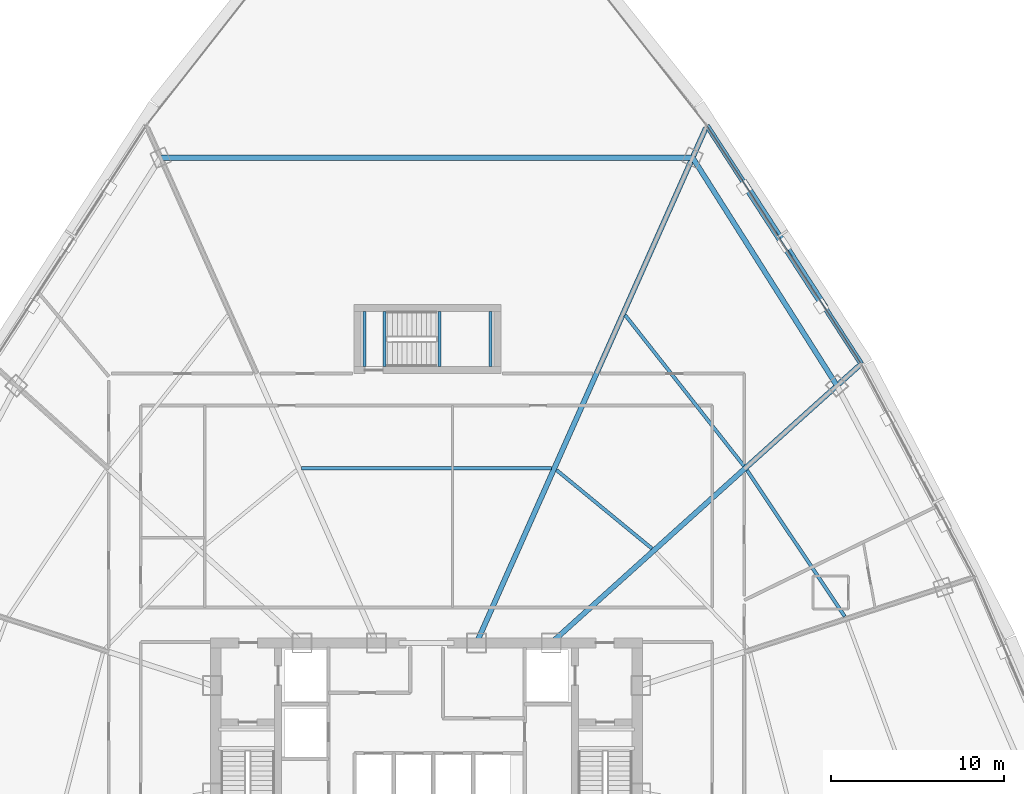
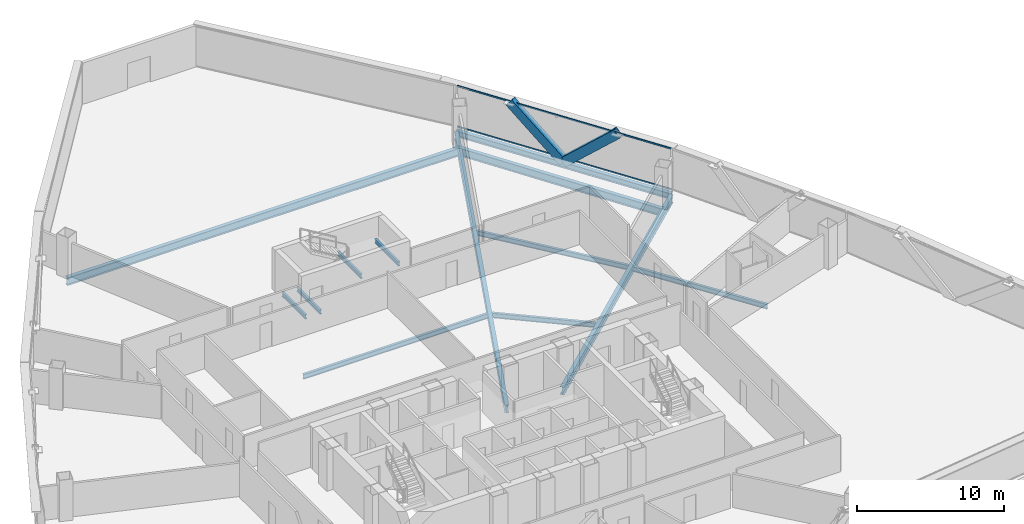
# One storey, part 19 of 42: 13 beams, 4 members, 1 element without a shape of its own.
"""IFC4 building model written with IfcOpenShell, lengths in metres."""

from ifc_helpers import new_model, si_unit, direction, frame, origin, origin_2d, place, context, subcontext, project, spatial, hollow_rectangle, i_section, extrude, source, transform, mapped, material, layer, layer_set, material_profile, profile_set, type_object, element, aggregate, save


model = new_model("IFC4")

# Units and contexts
model_context = context("Model", 3, precision=1e-05, world=origin(), true_north=direction((0.0, 1.0)))
body_context = subcontext(model_context, "Body", "Model", "MODEL_VIEW")
ifc_project = project(units=[si_unit("LENGTHUNIT", "METRE"), si_unit("AREAUNIT", "SQUARE_METRE"), si_unit("VOLUMEUNIT", "CUBIC_METRE"), si_unit("PLANEANGLEUNIT", "RADIAN"), si_unit("MASSUNIT", "GRAM", prefix="KILO"), si_unit("THERMODYNAMICTEMPERATUREUNIT", "KELVIN"), si_unit("POWERUNIT", "WATT")], contexts=[model_context])

# Site, building, storey
site_placement = place(None, origin())
site = spatial("IfcSite", under=ifc_project, at=site_placement, CompositionType="ELEMENT")
building_placement = place(site_placement, origin())
building = spatial("IfcBuilding", under=site, at=building_placement, Name="Yunzhuo Pagoda Commons", CompositionType="ELEMENT")
storey_placement = place(building_placement, frame((0.0, 0.0, 137.18994140625)))
storey = spatial("IfcBuildingStorey", under=building, at=storey_placement, Name="L34", CompositionType="ELEMENT", Elevation=137.18994140625)

# Beams
ifc_material_1 = material(Name="Structural steel Q355B", Category="steel")
ifc_material_profile_1 = material_profile(ifc_material_1, i_section(OverallWidth=0.175048828125, OverallDepth=0.35009765625, WebThickness=0.007080078125, FlangeThickness=0.010986328125, at=origin_2d()), Name="Structural steel Q355B")
ifc_profile_set_1 = profile_set([ifc_material_profile_1], Name="Structural steel Q355B")
beam_type_1 = type_object("IfcBeamType", Name="B-JS2 Joist HN 350x175x7x11", PredefinedType="JOIST", material=ifc_profile_set_1)
shared_shape_1 = source(origin(), body_context, "Body", "SweptSolid", [
    extrude(i_section(OverallWidth=0.175048828125, OverallDepth=0.35009765625, WebThickness=0.007080078125, FlangeThickness=0.010986328125, at=origin_2d()), origin(), (0.0, 0.0, 1.0), 3.199951171875),
])
for number, where, z_axis, x_axis, name in (
    (1, (48.75, 56.199951171875, 1.465087890625), (0.0, 1.0, 0.0), (-1.0, 0.0, 0.0), "L34 ST3 landing support beam 40A"),
    (2, (51.699951171875, 56.199951171875, 1.465087890625), (0.0, 1.0, 0.0), (-1.0, 0.0, 0.0), "L34 ST3 landing support beam 40B"),
    (3, (44.39990234375, 56.199951171875, -0.375), (0.0, 1.0, 0.0), (-1.0, 0.0, 0.0), "L34 ST3 landing support beam 108A"),
    (4, (45.550048828125, 56.199951171875, -0.375), (0.0, 1.0, 0.0), (-1.0, 0.0, 0.0), "L34 ST3 landing support beam 108B"),
):
    element("IfcBeam", number, at=place(storey_placement, frame(where, z_axis=z_axis, x_axis=x_axis)), inside=storey, type_object=beam_type_1, Name=name, PredefinedType="JOIST", context=body_context, shape_type="MappedRepresentation", body=[
        mapped(shared_shape_1, transform((0.0, 0.0, 0.0), scale=1.0)),
    ])
ifc_material_profile_2 = material_profile(ifc_material_1, i_section(OverallWidth=0.300048828125, OverallDepth=0.488037109375, WebThickness=0.010986328125, FlangeThickness=0.01806640625, at=origin_2d()), Name="Structural steel Q355B")
ifc_profile_set_2 = profile_set([ifc_material_profile_2], Name="Structural steel Q355B")
beam_type_2 = type_object("IfcBeamType", Name="B-SP1 Beam HM 488x300x11x18", PredefinedType="BEAM", material=ifc_profile_set_2)
shared_shape_2 = source(origin(), body_context, "Body", "SweptSolid", [
    extrude(i_section(OverallWidth=0.300048828125, OverallDepth=0.488037109375, WebThickness=0.010986328125, FlangeThickness=0.01806640625, at=origin_2d()), origin(), (0.0, 0.0, 1.0), 16.43994140625),
])
beam_1_placement = place(storey_placement, frame((73.173828125, 56.36669921875, -0.50390625), z_axis=(-0.543751172909, 0.839246484627, 0.0), x_axis=(-0.839246484627, -0.543751172909, 0.0)))
element("IfcBeam", 5, at=beam_1_placement, inside=storey, type_object=beam_type_2, Name="L34 facade edge spandrel beam F2.3", PredefinedType="BEAM", context=body_context, shape_type="MappedRepresentation", body=[
    mapped(shared_shape_2, transform((0.0, 0.0, 0.0), scale=1.0)),
])
ifc_material_profile_3 = material_profile(ifc_material_1, i_section(OverallWidth=0.300048828125, OverallDepth=0.64990234375, WebThickness=0.012939453125, FlangeThickness=0.02197265625, at=origin_2d()), Name="Structural steel Q355B")
ifc_profile_set_3 = profile_set([ifc_material_profile_3], Name="Structural steel Q355B")
beam_type_3 = type_object("IfcBeamType", Name="B-RG2 Beam HN 650x300x13x22", PredefinedType="BEAM", material=ifc_profile_set_3)
shared_shape_3 = source(origin(), body_context, "Body", "SweptSolid", [
    extrude(i_section(OverallWidth=0.300048828125, OverallDepth=0.64990234375, WebThickness=0.012939453125, FlangeThickness=0.02197265625, at=origin_2d()), origin(), (0.0, 0.0, 1.0), 24.005859375),
])
beam_2_placement = place(storey_placement, frame((73.05859375, 56.26318359375, -0.584716796875), z_axis=(-0.743136854915, -0.66913945846, 0.0), x_axis=(0.66913945846, -0.743136854915, 0.0)))
element("IfcBeam", 6, at=beam_2_placement, inside=storey, type_object=beam_type_3, Name="L34 radial floor girder F2C3", PredefinedType="BEAM", context=body_context, shape_type="MappedRepresentation", body=[
    mapped(shared_shape_3, transform((0.0, 0.0, 0.0), scale=1.0)),
])
shared_shape_4 = source(origin(), body_context, "Body", "SweptSolid", [
    extrude(i_section(OverallWidth=0.300048828125, OverallDepth=0.64990234375, WebThickness=0.012939453125, FlangeThickness=0.02197265625, at=origin_2d()), origin(), (0.0, 0.0, 1.0), 32.64453125),
])
beam_3_placement = place(storey_placement, frame((64.171630859375, 70.022216796875, -0.584716796875), z_axis=(-0.406733058142, -0.91354705375, 0.0), x_axis=(0.91354705375, -0.406733058142, 0.0)))
element("IfcBeam", 7, at=beam_3_placement, inside=storey, type_object=beam_type_3, Name="L34 radial floor girder F2C4", PredefinedType="BEAM", context=body_context, shape_type="MappedRepresentation", body=[
    mapped(shared_shape_4, transform((0.0, 0.0, 0.0), scale=1.0)),
])
ifc_material_profile_4 = material_profile(ifc_material_1, i_section(OverallWidth=0.199951171875, OverallDepth=0.39990234375, WebThickness=0.008056640625, FlangeThickness=0.012939453125, at=origin_2d()), Name="Structural steel Q355B")
ifc_profile_set_4 = profile_set([ifc_material_profile_4], Name="Structural steel Q355B")
beam_type_4 = type_object("IfcBeamType", Name="B-JS1 Joist HN 400x200x8x13", PredefinedType="JOIST", material=ifc_profile_set_4)
shared_shape_5 = source(origin(), body_context, "Body", "SweptSolid", [
    extrude(i_section(OverallWidth=0.199951171875, OverallDepth=0.39990234375, WebThickness=0.008056640625, FlangeThickness=0.012939453125, at=origin_2d()), origin(), (0.0, 0.0, 1.0), 10.186767578125),
])
beam_4_placement = place(storey_placement, frame((72.221923828125, 41.731201171875, -0.459716796875), z_axis=(-0.555872145938, 0.831267801235, 0.0), x_axis=(-0.831267801235, -0.555872145938, 0.0)))
element("IfcBeam", 8, at=beam_4_placement, inside=storey, type_object=beam_type_4, Name="L34 composite ring joist 2.6", PredefinedType="JOIST", context=body_context, shape_type="MappedRepresentation", body=[
    mapped(shared_shape_5, transform((0.0, 0.0, 0.0), scale=1.0)),
])
shared_shape_6 = source(origin(), body_context, "Body", "SweptSolid", [
    extrude(i_section(OverallWidth=0.300048828125, OverallDepth=0.64990234375, WebThickness=0.012939453125, FlangeThickness=0.02197265625, at=origin_2d()), origin(), (0.0, 0.0, 1.0), 15.627685546875),
])
beam_5_placement = place(storey_placement, frame((71.76611328125, 55.09912109375, -0.584716796875), z_axis=(-0.534952471728, 0.844882153316, 0.0), x_axis=(-0.844882153316, -0.534952471728, 0.0)))
element("IfcBeam", 9, at=beam_5_placement, inside=storey, type_object=beam_type_3, Name="L34 column-ring beam 7", PredefinedType="BEAM", context=body_context, shape_type="MappedRepresentation", body=[
    mapped(shared_shape_6, transform((0.0, 0.0, 0.0), scale=1.0)),
])
shared_shape_7 = source(origin(), body_context, "Body", "SweptSolid", [
    extrude(i_section(OverallWidth=0.199951171875, OverallDepth=0.39990234375, WebThickness=0.008056640625, FlangeThickness=0.012939453125, at=origin_2d()), origin(), (0.0, 0.0, 1.0), 7.163818359375),
])
beam_6_placement = place(storey_placement, frame((61.05322265625, 45.664794921875, -0.459716796875), z_axis=(-0.772234119563, 0.635338071095, 0.0), x_axis=(-0.635338071095, -0.772234119563, 0.0)))
element("IfcBeam", 10, at=beam_6_placement, inside=storey, type_object=beam_type_4, Name="L34 composite ring joist 1.7", PredefinedType="JOIST", context=body_context, shape_type="MappedRepresentation", body=[
    mapped(shared_shape_7, transform((0.0, 0.0, 0.0), scale=1.0)),
])
shared_shape_8 = source(origin(), body_context, "Body", "SweptSolid", [
    extrude(i_section(OverallWidth=0.199951171875, OverallDepth=0.39990234375, WebThickness=0.008056640625, FlangeThickness=0.012939453125, at=origin_2d()), origin(), (0.0, 0.0, 1.0), 11.109375),
])
beam_7_placement = place(storey_placement, frame((66.372802734375, 50.456298828125, -0.459716796875), z_axis=(-0.618600596935, 0.785705607382, 0.0), x_axis=(-0.785705607382, -0.618600596935, 0.0)))
element("IfcBeam", 11, at=beam_7_placement, inside=storey, type_object=beam_type_4, Name="L34 composite ring joist 2.7", PredefinedType="JOIST", context=body_context, shape_type="MappedRepresentation", body=[
    mapped(shared_shape_8, transform((0.0, 0.0, 0.0), scale=1.0)),
])
shared_shape_9 = source(origin(), body_context, "Body", "SweptSolid", [
    extrude(i_section(OverallWidth=0.300048828125, OverallDepth=0.64990234375, WebThickness=0.012939453125, FlangeThickness=0.02197265625, at=origin_2d()), origin(), (0.0, 0.0, 1.0), 30.81201171875),
])
beam_8_placement = place(storey_placement, frame((63.406005859375, 68.302734375, -0.584716796875), z_axis=(-1.0, 0.0, 0.0), x_axis=(0.0, -1.0, 0.0)))
element("IfcBeam", 12, at=beam_8_placement, inside=storey, type_object=beam_type_3, Name="L34 column-ring beam 8", PredefinedType="BEAM", context=body_context, shape_type="MappedRepresentation", body=[
    mapped(shared_shape_9, transform((0.0, 0.0, 0.0), scale=1.0)),
])
shared_shape_10 = source(origin(), body_context, "Body", "SweptSolid", [
    extrude(i_section(OverallWidth=0.199951171875, OverallDepth=0.39990234375, WebThickness=0.008056640625, FlangeThickness=0.012939453125, at=origin_2d()), origin(), (0.0, 0.0, 1.0), 14.47900390625),
])
beam_9_placement = place(storey_placement, frame((55.239501953125, 50.317138671875, -0.459716796875), z_axis=(-1.0, 0.0, 0.0), x_axis=(0.0, -1.0, 0.0)))
element("IfcBeam", 13, at=beam_9_placement, inside=storey, type_object=beam_type_4, Name="L34 composite ring joist 1.8", PredefinedType="JOIST", context=body_context, shape_type="MappedRepresentation", body=[
    mapped(shared_shape_10, transform((0.0, 0.0, 0.0), scale=1.0)),
])

# Members
ifc_material_2 = material(Name="Structural steel Q420B", Category="steel")
ifc_material_profile_5 = material_profile(ifc_material_2, hollow_rectangle(XDim=0.419921875, YDim=0.719970703125, WallThickness=0.028076171875, at=origin_2d()), Name="Structural steel Q420B")
ifc_profile_set_5 = profile_set([ifc_material_profile_5], Name="Structural steel Q420B")
member_type_1 = type_object("IfcMemberType", Name="M-DL1 Brace BOX 720x420x28", PredefinedType="BRACE", material=ifc_profile_set_5)
shared_shape_11 = source(origin(), body_context, "Body", "SweptSolid", [
    extrude(hollow_rectangle(XDim=0.419921875, YDim=0.719970703125, WallThickness=0.028076171875, at=origin_2d()), origin(), (0.0, 0.0, 1.0), 5.516845703125),
])
member_1_placement = place(storey_placement, frame((68.704345703125, 63.26513671875, -0.260009765625), z_axis=(0.405062153132, -0.625228679061, 0.667093509921), x_axis=(0.839262424765, 0.543726569498, 0.0)))
element("IfcMember", 14, at=member_1_placement, inside=storey, type_object=member_type_1, Name="L34 facade diamond brace F2.3L", PredefinedType="BRACE", context=body_context, shape_type="MappedRepresentation", body=[
    mapped(shared_shape_11, transform((0.0, 0.0, 0.0), scale=1.0)),
])
shared_shape_12 = source(origin(), body_context, "Body", "SweptSolid", [
    extrude(hollow_rectangle(XDim=0.419921875, YDim=0.719970703125, WallThickness=0.028076171875, at=origin_2d()), origin(), (0.0, 0.0, 1.0), 5.51708984375),
])
member_2_placement = place(storey_placement, frame((68.704345703125, 63.26513671875, -0.260009765625), z_axis=(-0.405087937318, 0.625244424991, 0.667063094509), x_axis=(-0.839252879718, -0.543741302353, 0.0)))
element("IfcMember", 15, at=member_2_placement, inside=storey, type_object=member_type_1, Name="L34 facade diamond brace F2.3R", PredefinedType="BRACE", context=body_context, shape_type="MappedRepresentation", body=[
    mapped(shared_shape_12, transform((0.0, 0.0, 0.0), scale=1.0)),
])

# Curtain wall, members
ifc_material_3 = material(Name="Anodized aluminium 6063-T6", Category="aluminium")
ifc_layer = layer(ifc_material_3, 0.14990234375)
ifc_layer_set = layer_set([ifc_layer], Name="Anodized aluminium 6063-T6")
curtain_wall_type = type_object("IfcCurtainWallType", Name="CW-MID Mid-Zone Ribbon Curtain Wall", PredefinedType="NOTDEFINED", material=ifc_layer_set)
curtain_wall_placement = place(storey_placement, origin())
curtain_wall = element("IfcCurtainWall", 16, at=curtain_wall_placement, inside=storey, type_object=curtain_wall_type, Name="L34 curtain wall CW-L34-F2B4", PredefinedType="NOTDEFINED")
ifc_material_profile_6 = material_profile(ifc_material_3, hollow_rectangle(XDim=0.054931640625, YDim=0.1298828125, WallThickness=0.00341796875, at=origin_2d()), Name="Anodized aluminium 6063-T6")
ifc_profile_set_6 = profile_set([ifc_material_profile_6], Name="Anodized aluminium 6063-T6")
member_type_2 = type_object("IfcMemberType", Name="CW-MID-T Transom RHS 130x55x3.5", PredefinedType="USERDEFINED", material=ifc_profile_set_6)
shared_shape_13 = source(origin(), body_context, "Body", "SweptSolid", [
    extrude(hollow_rectangle(XDim=0.054931640625, YDim=0.1298828125, WallThickness=0.00341796875, at=origin_2d()), origin(), (0.0, 0.0, 1.0), 16.319580078125),
])
member_3_placement = place(storey_placement, frame((73.14111328125, 56.4169921875, 0.027587890625), z_axis=(-0.543746793414, 0.839249322104, 0.0), x_axis=(-0.839249322104, -0.543746793414, 0.0)))
member_3 = element("IfcMember", 17, at=member_3_placement, type_object=member_type_2, Name="CW transom 1.1", ObjectType="TRANSOM", PredefinedType="USERDEFINED", context=body_context, shape_type="MappedRepresentation", body=[
    mapped(shared_shape_13, transform((0.0, 0.0, 0.0), scale=1.0)),
])
member_4_placement = place(storey_placement, frame((73.14111328125, 56.4169921875, 3.392822265625), z_axis=(-0.543746793414, 0.839249322104, 0.0), x_axis=(-0.839249322104, -0.543746793414, 0.0)))
member_4 = element("IfcMember", 18, at=member_4_placement, type_object=member_type_2, Name="CW transom 1.2", ObjectType="TRANSOM", PredefinedType="USERDEFINED", context=body_context, shape_type="MappedRepresentation", body=[
    mapped(shared_shape_13, transform((0.0, 0.0, 0.0), scale=1.0)),
])
aggregate(curtain_wall, [member_3, member_4])

save(model, "model.ifc")
